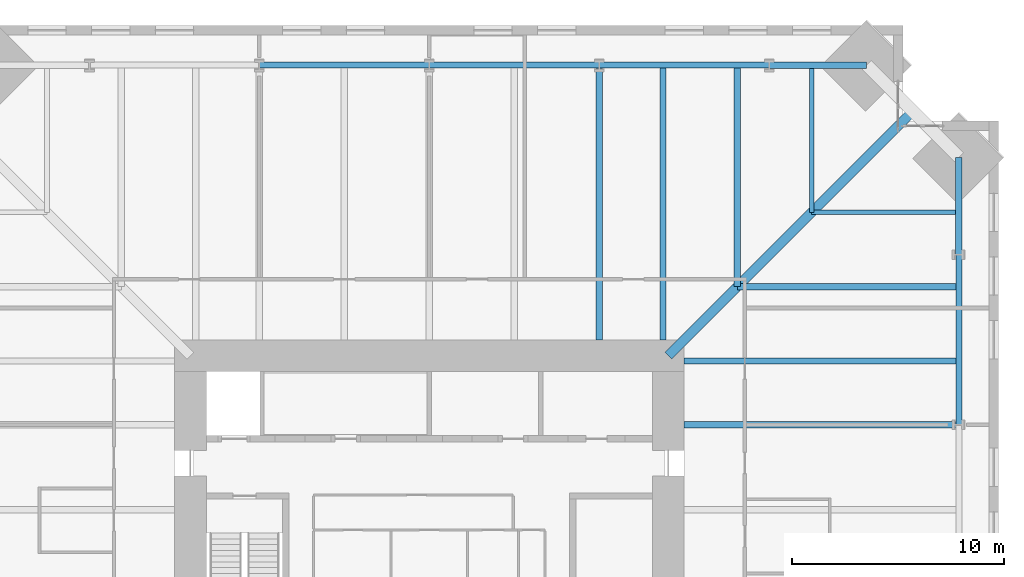
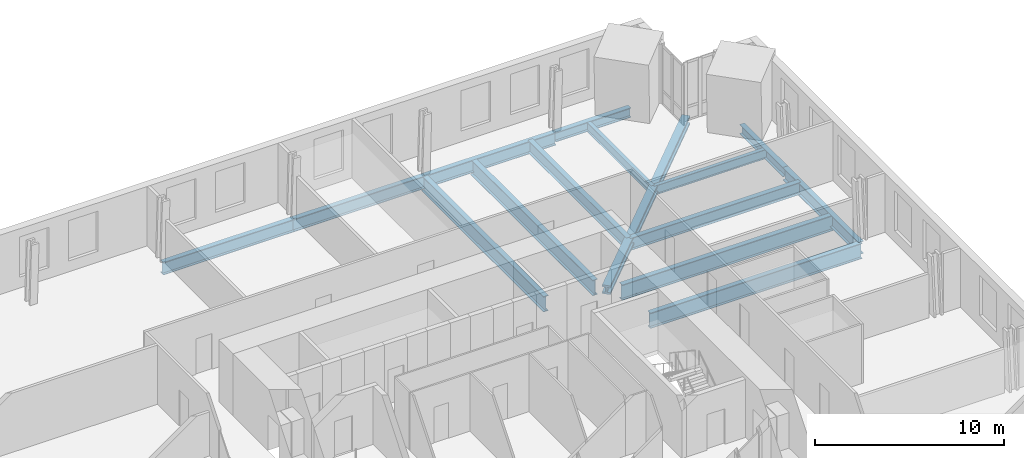
# One storey, part 7 of 17: 15 beams.
"""IFC4 building model written with IfcOpenShell, lengths in metres."""

from ifc_helpers import new_model, si_unit, direction, frame, origin, origin_2d, place, context, subcontext, project, spatial, i_section, extrude, material, material_profile, profile_set, type_object, element, save


model = new_model("IFC4")

# Units and contexts
model_context = context("Model", 3, precision=1e-05, world=origin(), true_north=direction((0.0, 1.0)))
body_context = subcontext(model_context, "Body", "Model", "MODEL_VIEW")
ifc_project = project(units=[si_unit("LENGTHUNIT", "METRE"), si_unit("AREAUNIT", "SQUARE_METRE"), si_unit("VOLUMEUNIT", "CUBIC_METRE"), si_unit("PLANEANGLEUNIT", "RADIAN"), si_unit("MASSUNIT", "GRAM", prefix="KILO")], contexts=[model_context])

# Site, building, storey
site_placement = place(None, origin())
site = spatial("IfcSite", under=ifc_project, at=site_placement, CompositionType="ELEMENT")
building_placement = place(site_placement, origin())
building = spatial("IfcBuilding", under=site, at=building_placement, Name="Peilmerk Tower", CompositionType="ELEMENT")
storey_placement = place(building_placement, frame((0.0, 0.0, 147.800048828125)))
storey = spatial("IfcBuildingStorey", under=building, at=storey_placement, Name="L30", CompositionType="ELEMENT", Elevation=147.800048828125)

# Beams
ifc_material_1 = material(Name="Steel S355", Category="steel")
ifc_material_profile_1 = material_profile(ifc_material_1, i_section(OverallWidth=0.219970703125, OverallDepth=0.60009765625, WebThickness=0.011962890625, FlangeThickness=0.01904296875, at=origin_2d()), Name="IPE 600")
ifc_profile_set_1 = profile_set([ifc_material_profile_1], Name="Steel S355")
beam_type_1 = type_object("IfcBeamType", Name="B10 IPE 600 floor beam", PredefinedType="BEAM", material=ifc_profile_set_1)
for number, where, z_axis, x_axis, name in (
    (1, (18.0, 18.0, -0.469970703125), (0.0, 1.0, 0.0), (-1.0, 0.0, 0.0), "Floor beam L30"),
    (2, (18.0, 18.0, -0.469970703125), (1.0, 0.0, 0.0), (0.0, 1.0, 0.0), "Floor beam L30"),
):
    element("IfcBeam", number, at=place(storey_placement, frame(where, z_axis=z_axis, x_axis=x_axis)), inside=storey, type_object=beam_type_1, Name=name, PredefinedType="BEAM", context=body_context, shape_type="SweptSolid", body=[
        extrude(i_section(OverallWidth=0.219970703125, OverallDepth=0.60009765625, WebThickness=0.011962890625, FlangeThickness=0.01904296875, at=origin_2d()), origin(), (0.0, 0.0, 1.0), 6.93701171875),
    ])
ifc_material_profile_2 = material_profile(ifc_material_1, i_section(OverallWidth=0.302978515625, OverallDepth=0.81396484375, WebThickness=0.02099609375, FlangeThickness=0.0400390625, at=origin_2d()), Name="HEM 800")
ifc_profile_set_2 = profile_set([ifc_material_profile_2], Name="Steel S355")
beam_type_2 = type_object("IfcBeamType", Name="B15 HEM 800 edge beam", PredefinedType="SPANDREL", material=ifc_profile_set_2)
for number, where, z_axis, x_axis, name in (
    (3, (16.0, 24.93701171875, -0.5771484375), (-1.0, 0.0, 0.0), (0.0, -1.0, 0.0), "Edge beam L30"),
    (4, (8.0, 24.93701171875, -0.5771484375), (-1.0, 0.0, 0.0), (0.0, -1.0, 0.0), "Edge beam L30"),
    (5, (0.0, 24.93701171875, -0.5771484375), (-1.0, 0.0, 0.0), (0.0, -1.0, 0.0), "Edge beam L30"),
    (6, (24.93701171875, 8.0, -0.5771484375), (0.0, 1.0, 0.0), (-1.0, 0.0, 0.0), "Edge beam L30"),
):
    element("IfcBeam", number, at=place(storey_placement, frame(where, z_axis=z_axis, x_axis=x_axis)), inside=storey, type_object=beam_type_2, Name=name, PredefinedType="SPANDREL", context=body_context, shape_type="SweptSolid", body=[
        extrude(i_section(OverallWidth=0.302978515625, OverallDepth=0.81396484375, WebThickness=0.02099609375, FlangeThickness=0.0400390625, at=origin_2d()), origin(), (0.0, 0.0, 1.0), 8.0),
    ])
ifc_material_profile_3 = material_profile(ifc_material_1, i_section(OverallWidth=0.300048828125, OverallDepth=0.7900390625, WebThickness=0.014892578125, FlangeThickness=0.028076171875, at=origin_2d()), Name="HEA 800")
ifc_profile_set_3 = profile_set([ifc_material_profile_3], Name="Steel S355")
beam_type_3 = type_object("IfcBeamType", Name="B3 HEA 800 floor beam", PredefinedType="BEAM", material=ifc_profile_set_3)
for number, where, z_axis, x_axis, name in (
    (7, (14.5, 14.5, -0.56494140625), (0.0, 1.0, 0.0), (-1.0, 0.0, 0.0), "Floor beam L30"),
    (8, (14.5, 14.5, -0.56494140625), (1.0, 0.0, 0.0), (0.0, 1.0, 0.0), "Floor beam L30"),
):
    element("IfcBeam", number, at=place(storey_placement, frame(where, z_axis=z_axis, x_axis=x_axis)), inside=storey, type_object=beam_type_3, Name=name, PredefinedType="BEAM", context=body_context, shape_type="SweptSolid", body=[
        extrude(i_section(OverallWidth=0.300048828125, OverallDepth=0.7900390625, WebThickness=0.014892578125, FlangeThickness=0.028076171875, at=origin_2d()), origin(), (0.0, 0.0, 1.0), 10.43701171875),
    ])
ifc_material_profile_4 = material_profile(ifc_material_1, i_section(OverallWidth=0.304931640625, OverallDepth=0.6201171875, WebThickness=0.02099609375, FlangeThickness=0.0400390625, at=origin_2d()), Name="HEM 600")
ifc_profile_set_4 = profile_set([ifc_material_profile_4], Name="Steel S355")
beam_type_4 = type_object("IfcBeamType", Name="B31 HEM 600 edge beam", PredefinedType="SPANDREL", material=ifc_profile_set_4)
for number, where, z_axis, x_axis, name in (
    (9, (20.587158203125, 24.93701171875, -0.47998046875), (-1.0, 0.0, 0.0), (0.0, -1.0, 0.0), "Edge beam L30"),
    (10, (24.93701171875, 16.0, -0.47998046875), (0.0, 1.0, 0.0), (-1.0, 0.0, 0.0), "Edge beam L30"),
):
    element("IfcBeam", number, at=place(storey_placement, frame(where, z_axis=z_axis, x_axis=x_axis)), inside=storey, type_object=beam_type_4, Name=name, PredefinedType="SPANDREL", context=body_context, shape_type="SweptSolid", body=[
        extrude(i_section(OverallWidth=0.304931640625, OverallDepth=0.6201171875, WebThickness=0.02099609375, FlangeThickness=0.0400390625, at=origin_2d()), origin(), (0.0, 0.0, 1.0), 4.587158203125),
    ])
ifc_material_profile_5 = material_profile(ifc_material_1, i_section(OverallWidth=0.300048828125, OverallDepth=1.0, WebThickness=0.01904296875, FlangeThickness=0.035888671875, at=origin_2d()), Name="HEB 1000")
ifc_profile_set_5 = profile_set([ifc_material_profile_5], Name="Steel S355")
beam_type_5 = type_object("IfcBeamType", Name="B5 HEB 1000 floor girder", PredefinedType="BEAM", material=ifc_profile_set_5)
for number, where, z_axis, x_axis, name in (
    (11, (11.0, 12.0, -0.670166015625), (0.0, 1.0, 0.0), (-1.0, 0.0, 0.0), "Floor beam L30"),
    (12, (8.0, 12.0, -0.670166015625), (0.0, 1.0, 0.0), (-1.0, 0.0, 0.0), "Floor beam L30"),
    (13, (12.0, 8.0, -0.670166015625), (1.0, 0.0, 0.0), (0.0, 1.0, 0.0), "Floor beam L30"),
    (14, (12.0, 11.0, -0.670166015625), (1.0, 0.0, 0.0), (0.0, 1.0, 0.0), "Floor beam L30"),
):
    element("IfcBeam", number, at=place(storey_placement, frame(where, z_axis=z_axis, x_axis=x_axis)), inside=storey, type_object=beam_type_5, Name=name, PredefinedType="BEAM", context=body_context, shape_type="SweptSolid", body=[
        extrude(i_section(OverallWidth=0.300048828125, OverallDepth=1.0, WebThickness=0.01904296875, FlangeThickness=0.035888671875, at=origin_2d()), origin(), (0.0, 0.0, 1.0), 12.93701171875),
    ])
ifc_material_2 = material(Name="Steel S460", Category="steel")
ifc_material_profile_6 = material_profile(ifc_material_2, i_section(OverallWidth=0.4541015625, OverallDepth=0.569091796875, WebThickness=0.077880859375, FlangeThickness=0.125, at=origin_2d()), Name="HD 400x1086")
ifc_profile_set_6 = profile_set([ifc_material_profile_6], Name="Steel S460")
beam_type_6 = type_object("IfcBeamType", Name="B9 HD 400x1086 corner girder", PredefinedType="BEAM", material=ifc_profile_set_6)
beam_placement = place(storey_placement, frame((11.25, 11.25, -0.45458984375), z_axis=(0.707106781187, 0.707106781187, 0.0), x_axis=(-0.707106781187, 0.707106781187, 0.0)))
element("IfcBeam", 15, at=beam_placement, inside=storey, type_object=beam_type_6, Name="Corner girder L30", PredefinedType="BEAM", context=body_context, shape_type="SweptSolid", body=[
    extrude(i_section(OverallWidth=0.4541015625, OverallDepth=0.569091796875, WebThickness=0.077880859375, FlangeThickness=0.125, at=origin_2d()), origin(), (0.0, 0.0, 1.0), 16.28076171875),
])

save(model, "model.ifc")
